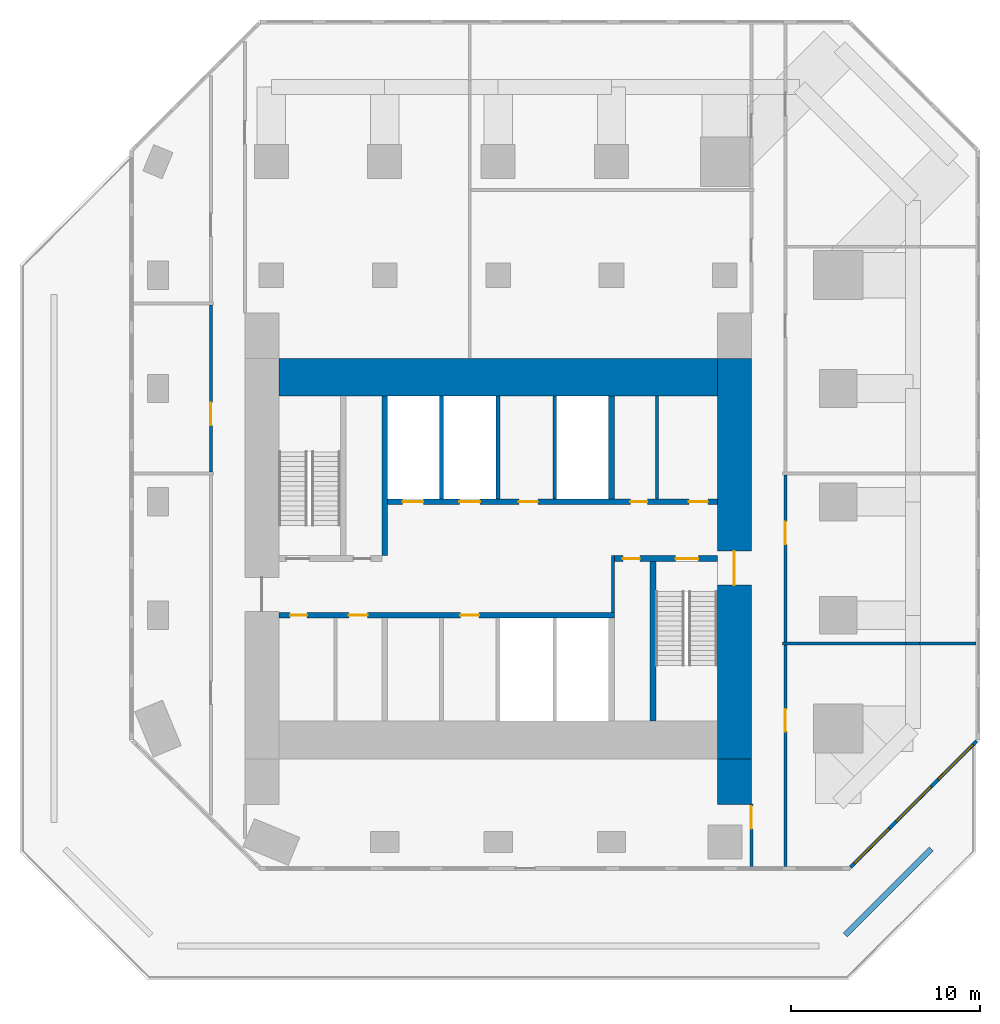
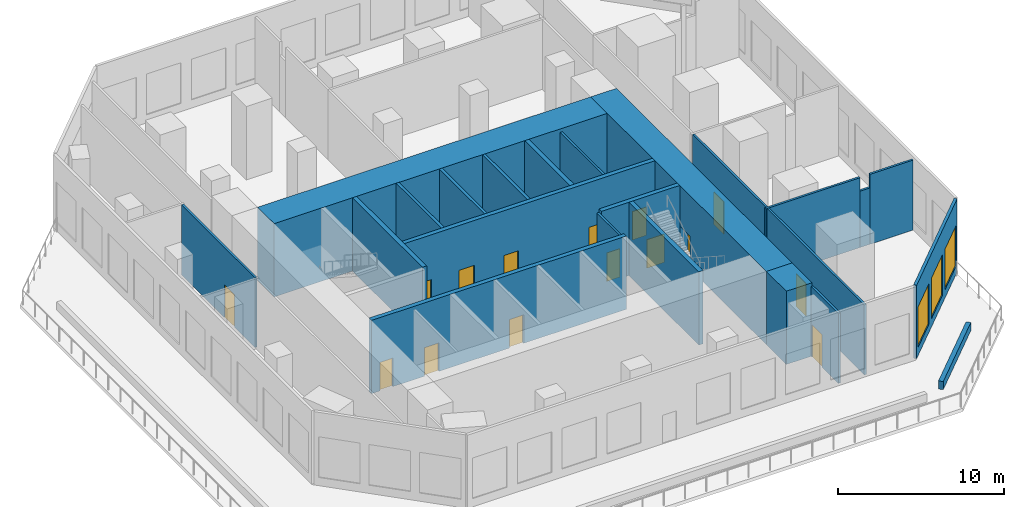
# One storey, part 3 of 7: 23 walls, 15 doors, 3 windows, 18 openings.
"""IFC4 building model written with IfcOpenShell, lengths in metres."""

from ifc_helpers import new_model, si_unit, direction, frame, frame_2d, origin, place, context, subcontext, project, spatial, rectangle, extrude, material, layer, layer_set, type_object, element, fill, save


model = new_model("IFC4")

# Units and contexts
model_context = context("Model", 3, precision=1e-05, world=origin(), true_north=direction((0.0, 1.0)))
body_context = subcontext(model_context, "Body", "Model", "MODEL_VIEW")
ifc_project = project(units=[si_unit("LENGTHUNIT", "METRE"), si_unit("AREAUNIT", "SQUARE_METRE"), si_unit("VOLUMEUNIT", "CUBIC_METRE"), si_unit("PLANEANGLEUNIT", "RADIAN"), si_unit("MASSUNIT", "GRAM", prefix="KILO")], contexts=[model_context])

# Site, building, storey
site_placement = place(None, origin())
site = spatial("IfcSite", under=ifc_project, at=site_placement, CompositionType="ELEMENT")
building_placement = place(site_placement, origin())
building = spatial("IfcBuilding", under=site, at=building_placement, Name="Highveld Stack Headquarters", CompositionType="ELEMENT")
storey_placement = place(building_placement, frame((0.0, 0.0, 164.0)))
storey = spatial("IfcBuildingStorey", under=building, at=storey_placement, Name="L40", CompositionType="ELEMENT", Elevation=164.0)

# Wall, opening, door
ifc_material_1 = material(Name="Concrete C60/75", Category="concrete")
ifc_layer_1 = layer(ifc_material_1, 1.800048828125)
ifc_layer_set_1 = layer_set([ifc_layer_1], Name="Concrete C60/75")
wall_type_1 = type_object("IfcWallType", Name="CORE WALL 1800 C60/75", PredefinedType="SHEAR", material=ifc_layer_set_1)
wall_1_placement = place(storey_placement, frame((18.5, -7.60009765625, 0.0), z_axis=(0.0, 0.0, 1.0), x_axis=(0.0, 1.0, 0.0)))
wall_1 = element("IfcWall", 1, at=wall_1_placement, inside=storey, type_object=wall_type_1, Name="Core wall E L40", PredefinedType="SHEAR", context=body_context, shape_type="SweptSolid", body=[
    extrude(rectangle(XDim=21.2001953125, YDim=1.800048828125, at=frame_2d((10.60009765625, 0.0))), origin(), (0.0, 0.0, 1.0), 5.39990234375),
])
opening_1_placement = place(wall_1_placement, frame((9.199951171875, 0.0, 0.0)))
opening_1 = element("IfcOpeningElement", 2, at=opening_1_placement, cuts=wall_1, Name="Opening L40-03", PredefinedType="OPENING", context=body_context, shape_type="SweptSolid", body=[
    extrude(rectangle(XDim=1.800048828125, YDim=2.39990234375, at=frame_2d((0.89990234375, 1.199951171875))), frame((0.0, 0.909912109375, 0.0), z_axis=(0.0, -1.0, 0.0), x_axis=(1.0, 0.0, 0.0)), (0.0, 0.0, 1.0), 1.820068359375),
])
ifc_material_2 = material(Name="Steel fire door", Category="steel")
door_type_1 = type_object("IfcDoorType", Name="LOBBY FIRE DOOR D4 1800x2400", OperationType="DOUBLE_DOOR_SINGLE_SWING", PredefinedType="DOOR", material=ifc_material_2)
door_1_placement = place(opening_1_placement, origin())
door_1 = element("IfcDoor", 3, at=door_1_placement, inside=storey, type_object=door_type_1, Name="Core east door L40", OperationType="DOUBLE_DOOR_SINGLE_SWING", OverallHeight=2.39990234375, OverallWidth=1.800048828125, PredefinedType="DOOR", context=body_context, shape_type="SweptSolid", body=[
    extrude(rectangle(XDim=1.800048828125, YDim=2.39990234375, at=frame_2d((0.89990234375, 1.199951171875))), frame((0.0, 0.02490234375, 0.0), z_axis=(0.0, -1.0, 0.0), x_axis=(1.0, 0.0, 0.0)), (0.0, 0.0, 1.0), 0.050048828125),
])
fill(opening_1, door_1)

# Wall
ifc_material_3 = material(Name="Concrete C60/75", Category="concrete")
ifc_layer_2 = layer(ifc_material_3, 2.0)
ifc_layer_set_2 = layer_set([ifc_layer_2], Name="Concrete C60/75")
wall_type_2 = type_object("IfcWallType", Name="CORE WALL 2000 C60/75", PredefinedType="SHEAR", material=ifc_layer_set_2)
wall_2_placement = place(storey_placement, frame((-5.60009765625, 12.60009765625, 0.0), z_axis=(0.0, 0.0, 1.0), x_axis=(1.0, 0.0, 0.0)))
element("IfcWall", 4, at=wall_2_placement, inside=storey, type_object=wall_type_2, Name="Core wall N L40", PredefinedType="SHEAR", context=body_context, shape_type="SweptSolid", body=[
    extrude(rectangle(XDim=23.2001953125, YDim=2.0, at=frame_2d((11.60009765625, 0.0))), origin(), (0.0, 0.0, 1.0), 5.39990234375),
])

# Wall, openings, doors
ifc_material_4 = material(Name="Concrete C60/75", Category="concrete")
ifc_layer_3 = layer(ifc_material_4, 0.300048828125)
ifc_layer_set_3 = layer_set([ifc_layer_3], Name="Concrete C60/75")
wall_type_3 = type_object("IfcWallType", Name="CORE WALL 300 C60/75", PredefinedType="SHEAR", material=ifc_layer_set_3)
wall_3_placement = place(storey_placement, frame((-5.60009765625, 0.0, 0.0), z_axis=(0.0, 0.0, 1.0), x_axis=(1.0, 0.0, 0.0)))
wall_3 = element("IfcWall", 5, at=wall_3_placement, inside=storey, type_object=wall_type_3, Name="Core wall I-Y0 L40", PredefinedType="SHEAR", context=body_context, shape_type="SweptSolid", body=[
    extrude(rectangle(XDim=17.75, YDim=0.300048828125, at=frame_2d((8.875, 0.0))), origin(), (0.0, 0.0, 1.0), 5.39990234375),
])
opening_2_placement = place(wall_3_placement, frame((0.60009765625, 0.0, 0.0)))
opening_2 = element("IfcOpeningElement", 6, at=opening_2_placement, cuts=wall_3, Name="Opening L40-08", PredefinedType="OPENING", context=body_context, shape_type="SweptSolid", body=[
    extrude(rectangle(XDim=0.89990234375, YDim=2.10009765625, at=frame_2d((0.449951171875, 1.050048828125))), frame((0.0, 0.159912109375, 0.0), z_axis=(0.0, -1.0, 0.0), x_axis=(1.0, 0.0, 0.0)), (0.0, 0.0, 1.0), 0.320068359375),
])
opening_3_placement = place(wall_3_placement, frame((3.699951171875, 0.0, 0.0)))
opening_3 = element("IfcOpeningElement", 7, at=opening_3_placement, cuts=wall_3, Name="Opening L40-09", PredefinedType="OPENING", context=body_context, shape_type="SweptSolid", body=[
    extrude(rectangle(XDim=1.0, YDim=2.10009765625, at=frame_2d((0.5, 1.050048828125))), frame((0.0, 0.159912109375, 0.0), z_axis=(0.0, -1.0, 0.0), x_axis=(1.0, 0.0, 0.0)), (0.0, 0.0, 1.0), 0.320068359375),
])
opening_4_placement = place(wall_3_placement, frame((9.60009765625, 0.0, 0.0)))
opening_4 = element("IfcOpeningElement", 8, at=opening_4_placement, cuts=wall_3, Name="Opening L40-13", PredefinedType="OPENING", context=body_context, shape_type="SweptSolid", body=[
    extrude(rectangle(XDim=1.0, YDim=2.10009765625, at=frame_2d((0.5, 1.050048828125))), frame((0.0, 0.159912109375, 0.0), z_axis=(0.0, -1.0, 0.0), x_axis=(1.0, 0.0, 0.0)), (0.0, 0.0, 1.0), 0.320068359375),
])
ifc_material_5 = material(Name="Steel fire door", Category="steel")
door_type_2 = type_object("IfcDoorType", Name="CORE ROOM FIRE DOOR D14 1000x2100", OperationType="SINGLE_SWING_LEFT", PredefinedType="DOOR", material=ifc_material_5)
door_2_placement = place(opening_3_placement, origin())
door_2 = element("IfcDoor", 9, at=door_2_placement, inside=storey, type_object=door_type_2, Name="Cleaners store door L40", OperationType="SINGLE_SWING_LEFT", OverallHeight=2.10009765625, OverallWidth=1.0, PredefinedType="DOOR", context=body_context, shape_type="SweptSolid", body=[
    extrude(rectangle(XDim=1.0, YDim=2.10009765625, at=frame_2d((0.5, 1.050048828125))), frame((0.0, 0.02490234375, 0.0), z_axis=(0.0, -1.0, 0.0), x_axis=(1.0, 0.0, 0.0)), (0.0, 0.0, 1.0), 0.050048828125),
])
fill(opening_3, door_2)
door_3_placement = place(opening_4_placement, origin())
door_3 = element("IfcDoor", 10, at=door_3_placement, inside=storey, type_object=door_type_2, Name="Capped B 1 door L40", OperationType="SINGLE_SWING_RIGHT", OverallHeight=2.10009765625, OverallWidth=1.0, PredefinedType="DOOR", context=body_context, shape_type="SweptSolid", body=[
    extrude(rectangle(XDim=1.0, YDim=2.10009765625, at=frame_2d((0.5, 1.050048828125))), frame((0.0, 0.02490234375, 0.0), z_axis=(0.0, -1.0, 0.0), x_axis=(1.0, 0.0, 0.0)), (0.0, 0.0, 1.0), 0.050048828125),
])
fill(opening_4, door_3)
ifc_material_6 = material(Name="Timber door, painted", Category="wood")
door_type_3 = type_object("IfcDoorType", Name="WC DOOR D1 900x2100", OperationType="SINGLE_SWING_LEFT", PredefinedType="DOOR", material=ifc_material_6)
door_4_placement = place(opening_2_placement, origin())
door_4 = element("IfcDoor", 11, at=door_4_placement, inside=storey, type_object=door_type_3, Name="Female WC door L40", OperationType="SINGLE_SWING_LEFT", OverallHeight=2.10009765625, OverallWidth=0.89990234375, PredefinedType="DOOR", context=body_context, shape_type="SweptSolid", body=[
    extrude(rectangle(XDim=0.89990234375, YDim=2.10009765625, at=frame_2d((0.449951171875, 1.050048828125))), frame((0.0, 0.02490234375, 0.0), z_axis=(0.0, -1.0, 0.0), x_axis=(1.0, 0.0, 0.0)), (0.0, 0.0, 1.0), 0.050048828125),
])
fill(opening_2, door_4)

wall_4_placement = place(storey_placement, frame((12.14990234375, 3.0, 0.0), z_axis=(0.0, 0.0, 1.0), x_axis=(1.0, 0.0, 0.0)))
wall_4 = element("IfcWall", 12, at=wall_4_placement, inside=storey, type_object=wall_type_3, Name="Core wall I-Y3E L40", PredefinedType="SHEAR", context=body_context, shape_type="SweptSolid", body=[
    extrude(rectangle(XDim=5.4501953125, YDim=0.300048828125, at=frame_2d((2.72509765625, 0.0))), origin(), (0.0, 0.0, 1.0), 5.39990234375),
])
opening_5_placement = place(wall_4_placement, frame((3.25, 0.0, 0.0)))
opening_5 = element("IfcOpeningElement", 13, at=opening_5_placement, cuts=wall_4, Name="Opening L40-06", PredefinedType="OPENING", context=body_context, shape_type="SweptSolid", body=[
    extrude(rectangle(XDim=1.199951171875, YDim=2.10009765625, at=frame_2d((0.60009765625, 1.050048828125))), frame((0.0, 0.159912109375, 0.0), z_axis=(0.0, -1.0, 0.0), x_axis=(1.0, 0.0, 0.0)), (0.0, 0.0, 1.0), 0.320068359375),
])
opening_6_placement = place(wall_4_placement, frame((0.449951171875, 0.0, 0.0)))
opening_6 = element("IfcOpeningElement", 14, at=opening_6_placement, cuts=wall_4, Name="Opening L40-07", PredefinedType="OPENING", context=body_context, shape_type="SweptSolid", body=[
    extrude(rectangle(XDim=0.89990234375, YDim=2.10009765625, at=frame_2d((0.449951171875, 1.050048828125))), frame((0.0, 0.159912109375, 0.0), z_axis=(0.0, -1.0, 0.0), x_axis=(1.0, 0.0, 0.0)), (0.0, 0.0, 1.0), 0.320068359375),
])
ifc_material_7 = material(Name="Steel fire door", Category="steel")
door_type_4 = type_object("IfcDoorType", Name="RISER ACCESS DOOR D5 900x2100", OperationType="SINGLE_SWING_LEFT", PredefinedType="DOOR", material=ifc_material_7)
door_5_placement = place(opening_6_placement, origin())
door_5 = element("IfcDoor", 15, at=door_5_placement, inside=storey, type_object=door_type_4, Name="Riser R2 door L40", OperationType="SINGLE_SWING_LEFT", OverallHeight=2.10009765625, OverallWidth=0.89990234375, PredefinedType="DOOR", context=body_context, shape_type="SweptSolid", body=[
    extrude(rectangle(XDim=0.89990234375, YDim=2.10009765625, at=frame_2d((0.449951171875, 1.050048828125))), frame((0.0, 0.02490234375, 0.0), z_axis=(0.0, -1.0, 0.0), x_axis=(1.0, 0.0, 0.0)), (0.0, 0.0, 1.0), 0.050048828125),
])
fill(opening_6, door_5)
ifc_material_8 = material(Name="Steel fire door", Category="steel")
door_type_5 = type_object("IfcDoorType", Name="STAIR FIRE DOOR D3 1200x2100", OperationType="SINGLE_SWING_LEFT", PredefinedType="DOOR", material=ifc_material_8)
door_6_placement = place(opening_5_placement, origin())
door_6 = element("IfcDoor", 16, at=door_6_placement, inside=storey, type_object=door_type_5, Name="Stair S2 door L40", OperationType="SINGLE_SWING_RIGHT", OverallHeight=2.10009765625, OverallWidth=1.199951171875, PredefinedType="DOOR", context=body_context, shape_type="SweptSolid", body=[
    extrude(rectangle(XDim=1.199951171875, YDim=2.10009765625, at=frame_2d((0.60009765625, 1.050048828125))), frame((0.0, 0.02490234375, 0.0), z_axis=(0.0, -1.0, 0.0), x_axis=(1.0, 0.0, 0.0)), (0.0, 0.0, 1.0), 0.050048828125),
])
fill(opening_5, door_6)

wall_5_placement = place(storey_placement, frame((-0.14990234375, 6.0, 0.0), z_axis=(0.0, 0.0, 1.0), x_axis=(1.0, 0.0, 0.0)))
wall_5 = element("IfcWall", 17, at=wall_5_placement, inside=storey, type_object=wall_type_3, Name="Core wall I-Y6 L40", PredefinedType="SHEAR", context=body_context, shape_type="SweptSolid", body=[
    extrude(rectangle(XDim=17.75, YDim=0.300048828125, at=frame_2d((8.875, 0.0))), origin(), (0.0, 0.0, 1.0), 5.39990234375),
])
opening_7_placement = place(wall_5_placement, frame((13.14990234375, 0.0, 0.0)))
opening_7 = element("IfcOpeningElement", 18, at=opening_7_placement, cuts=wall_5, Name="Opening L40-10", PredefinedType="OPENING", context=body_context, shape_type="SweptSolid", body=[
    extrude(rectangle(XDim=0.89990234375, YDim=2.10009765625, at=frame_2d((0.449951171875, 1.050048828125))), frame((0.0, 0.159912109375, 0.0), z_axis=(0.0, -1.0, 0.0), x_axis=(1.0, 0.0, 0.0)), (0.0, 0.0, 1.0), 0.320068359375),
])
opening_8_placement = place(wall_5_placement, frame((16.25, 0.0, 0.0)))
opening_8 = element("IfcOpeningElement", 19, at=opening_8_placement, cuts=wall_5, Name="Opening L40-11", PredefinedType="OPENING", context=body_context, shape_type="SweptSolid", body=[
    extrude(rectangle(XDim=1.0, YDim=2.10009765625, at=frame_2d((0.5, 1.050048828125))), frame((0.0, 0.159912109375, 0.0), z_axis=(0.0, -1.0, 0.0), x_axis=(1.0, 0.0, 0.0)), (0.0, 0.0, 1.0), 0.320068359375),
])
opening_9_placement = place(wall_5_placement, frame((7.25, 0.0, 0.0)))
opening_9 = element("IfcOpeningElement", 20, at=opening_9_placement, cuts=wall_5, Name="Opening L40-12", PredefinedType="OPENING", context=body_context, shape_type="SweptSolid", body=[
    extrude(rectangle(XDim=1.0, YDim=2.10009765625, at=frame_2d((0.5, 1.050048828125))), frame((0.0, 0.159912109375, 0.0), z_axis=(0.0, -1.0, 0.0), x_axis=(1.0, 0.0, 0.0)), (0.0, 0.0, 1.0), 0.320068359375),
])
opening_10_placement = place(wall_5_placement, frame((1.10009765625, 0.0, 0.0)))
opening_10 = element("IfcOpeningElement", 21, at=opening_10_placement, cuts=wall_5, Name="Opening LD", PredefinedType="OPENING", context=body_context, shape_type="SweptSolid", body=[
    extrude(rectangle(XDim=1.10009765625, YDim=2.10009765625, at=frame_2d((0.550048828125, 1.050048828125))), frame((0.0, 0.159912109375, 0.0), z_axis=(0.0, -1.0, 0.0), x_axis=(1.0, 0.0, 0.0)), (0.0, 0.0, 1.0), 0.320068359375),
])
opening_11_placement = place(wall_5_placement, frame((4.10009765625, 0.0, 0.0)))
opening_11 = element("IfcOpeningElement", 22, at=opening_11_placement, cuts=wall_5, Name="Opening LD", PredefinedType="OPENING", context=body_context, shape_type="SweptSolid", body=[
    extrude(rectangle(XDim=1.10009765625, YDim=2.10009765625, at=frame_2d((0.550048828125, 1.050048828125))), frame((0.0, 0.159912109375, 0.0), z_axis=(0.0, -1.0, 0.0), x_axis=(1.0, 0.0, 0.0)), (0.0, 0.0, 1.0), 0.320068359375),
])
ifc_material_9 = material(Name="Timber door, painted", Category="wood")
door_type_6 = type_object("IfcDoorType", Name="ACCESSIBLE WC DOOR D2 1000x2100", OperationType="SINGLE_SWING_RIGHT", PredefinedType="DOOR", material=ifc_material_9)
door_7_placement = place(opening_8_placement, origin())
door_7 = element("IfcDoor", 23, at=door_7_placement, inside=storey, type_object=door_type_6, Name="Accessible WC door L40", OperationType="SINGLE_SWING_RIGHT", OverallHeight=2.10009765625, OverallWidth=1.0, PredefinedType="DOOR", context=body_context, shape_type="SweptSolid", body=[
    extrude(rectangle(XDim=1.0, YDim=2.10009765625, at=frame_2d((0.5, 1.050048828125))), frame((0.0, 0.02490234375, 0.0), z_axis=(0.0, -1.0, 0.0), x_axis=(1.0, 0.0, 0.0)), (0.0, 0.0, 1.0), 0.050048828125),
])
fill(opening_8, door_7)
door_8_placement = place(opening_9_placement, origin())
door_8 = element("IfcDoor", 24, at=door_8_placement, inside=storey, type_object=door_type_2, Name="Capped A 1 door L40", OperationType="SINGLE_SWING_LEFT", OverallHeight=2.10009765625, OverallWidth=1.0, PredefinedType="DOOR", context=body_context, shape_type="SweptSolid", body=[
    extrude(rectangle(XDim=1.0, YDim=2.10009765625, at=frame_2d((0.5, 1.050048828125))), frame((0.0, 0.02490234375, 0.0), z_axis=(0.0, -1.0, 0.0), x_axis=(1.0, 0.0, 0.0)), (0.0, 0.0, 1.0), 0.050048828125),
])
fill(opening_9, door_8)
ifc_material_10 = material(Name="Stainless steel lift landing door", Category="steel")
door_type_7 = type_object("IfcDoorType", Name="LIFT LANDING DOOR LD 1100x2100", OperationType="DOUBLE_DOOR_SLIDING", PredefinedType="USERDEFINED", material=ifc_material_10)
door_9_placement = place(opening_10_placement, origin())
door_9 = element("IfcDoor", 25, at=door_9_placement, inside=storey, type_object=door_type_7, Name="Lift landing door FF1 L40", ObjectType="LIFT LANDING DOOR", OperationType="DOUBLE_DOOR_SLIDING", OverallHeight=2.10009765625, OverallWidth=1.10009765625, PredefinedType="USERDEFINED", context=body_context, shape_type="SweptSolid", body=[
    extrude(rectangle(XDim=1.10009765625, YDim=2.10009765625, at=frame_2d((0.550048828125, 1.050048828125))), frame((0.0, 0.02490234375, 0.0), z_axis=(0.0, -1.0, 0.0), x_axis=(1.0, 0.0, 0.0)), (0.0, 0.0, 1.0), 0.050048828125),
])
fill(opening_10, door_9)
door_10_placement = place(opening_11_placement, origin())
door_10 = element("IfcDoor", 26, at=door_10_placement, inside=storey, type_object=door_type_7, Name="Lift landing door FF2 L40", ObjectType="LIFT LANDING DOOR", OperationType="DOUBLE_DOOR_SLIDING", OverallHeight=2.10009765625, OverallWidth=1.10009765625, PredefinedType="USERDEFINED", context=body_context, shape_type="SweptSolid", body=[
    extrude(rectangle(XDim=1.10009765625, YDim=2.10009765625, at=frame_2d((0.550048828125, 1.050048828125))), frame((0.0, 0.02490234375, 0.0), z_axis=(0.0, -1.0, 0.0), x_axis=(1.0, 0.0, 0.0)), (0.0, 0.0, 1.0), 0.050048828125),
])
fill(opening_11, door_10)
door_11_placement = place(opening_7_placement, origin())
door_11 = element("IfcDoor", 27, at=door_11_placement, inside=storey, type_object=door_type_3, Name="Male WC door L40", OperationType="SINGLE_SWING_RIGHT", OverallHeight=2.10009765625, OverallWidth=0.89990234375, PredefinedType="DOOR", context=body_context, shape_type="SweptSolid", body=[
    extrude(rectangle(XDim=0.89990234375, YDim=2.10009765625, at=frame_2d((0.449951171875, 1.050048828125))), frame((0.0, 0.02490234375, 0.0), z_axis=(0.0, -1.0, 0.0), x_axis=(1.0, 0.0, 0.0)), (0.0, 0.0, 1.0), 0.050048828125),
])
fill(opening_7, door_11)

# Walls
wall_6_placement = place(storey_placement, frame((0.0, 3.14990234375, 0.0), z_axis=(0.0, 0.0, 1.0), x_axis=(0.0, 1.0, 0.0)))
element("IfcWall", 28, at=wall_6_placement, inside=storey, type_object=wall_type_3, Name="Core wall I-X0N L40", PredefinedType="SHEAR", context=body_context, shape_type="SweptSolid", body=[
    extrude(rectangle(XDim=8.4501953125, YDim=0.300048828125, at=frame_2d((4.22509765625, 0.0))), origin(), (0.0, 0.0, 1.0), 5.39990234375),
])
wall_7_placement = place(storey_placement, frame((12.0, 6.14990234375, 0.0), z_axis=(0.0, 0.0, 1.0), x_axis=(0.0, 1.0, 0.0)))
element("IfcWall", 29, at=wall_7_placement, inside=storey, type_object=wall_type_3, Name="Core wall I-X12N L40", PredefinedType="SHEAR", context=body_context, shape_type="SweptSolid", body=[
    extrude(rectangle(XDim=5.4501953125, YDim=0.300048828125, at=frame_2d((2.72509765625, 0.0))), origin(), (0.0, 0.0, 1.0), 5.39990234375),
])
wall_8_placement = place(storey_placement, frame((14.199951171875, -5.60009765625, 0.0), z_axis=(0.0, 0.0, 1.0), x_axis=(0.0, 1.0, 0.0)))
element("IfcWall", 30, at=wall_8_placement, inside=storey, type_object=wall_type_3, Name="Core wall I-RE L40", PredefinedType="SHEAR", context=body_context, shape_type="SweptSolid", body=[
    extrude(rectangle(XDim=8.4501953125, YDim=0.300048828125, at=frame_2d((4.22509765625, 0.0))), origin(), (0.0, 0.0, 1.0), 5.39990234375),
])
ifc_material_11 = material(Name="Concrete C60/75", Category="concrete")
ifc_layer_4 = layer(ifc_material_11, 1.800048828125)
ifc_layer_set_4 = layer_set([ifc_layer_4], Name="Concrete C60/75")
wall_type_4 = type_object("IfcWallType", Name="CORE WING WALL 1800 C60/75", PredefinedType="SHEAR", material=ifc_layer_set_4)
wall_9_placement = place(storey_placement, frame((18.5, -10.0, 0.0), z_axis=(0.0, 0.0, 1.0), x_axis=(0.0, 1.0, 0.0)))
element("IfcWall", 31, at=wall_9_placement, inside=storey, type_object=wall_type_4, Name="Core wing wall ES L40", PredefinedType="SHEAR", context=body_context, shape_type="SweptSolid", body=[
    extrude(rectangle(XDim=2.39990234375, YDim=1.800048828125, at=frame_2d((1.199951171875, 0.0))), origin(), (0.0, 0.0, 1.0), 5.39990234375),
])

# Wall, opening, door
ifc_material_12 = material(Name="Concrete blockwork, plastered", Category="masonry")
ifc_layer_5 = layer(ifc_material_12, 0.14990234375)
ifc_layer_set_5 = layer_set([ifc_layer_5], Name="Concrete blockwork, plastered")
wall_type_5 = type_object("IfcWallType", Name="FIRE PARTITION 150 BLOCKWORK", PredefinedType="PARTITIONING", material=ifc_layer_set_5)
wall_10_placement = place(storey_placement, frame((-9.199951171875, 7.574951171875, 0.0), z_axis=(0.0, 0.0, 1.0), x_axis=(0.0, 1.0, 0.0)))
wall_10 = element("IfcWall", 32, at=wall_10_placement, inside=storey, type_object=wall_type_5, Name="Partition office neighbourhood L40", PredefinedType="PARTITIONING", context=body_context, shape_type="SweptSolid", body=[
    extrude(rectangle(XDim=8.85009765625, YDim=0.14990234375, at=frame_2d((4.425048828125, 0.0))), origin(), (0.0, 0.0, 1.0), 5.14990234375),
])
opening_12_placement = place(wall_10_placement, frame((2.47509765625, 0.0, 0.0)))
opening_12 = element("IfcOpeningElement", 33, at=opening_12_placement, cuts=wall_10, Name="Opening L40-17", PredefinedType="OPENING", context=body_context, shape_type="SweptSolid", body=[
    extrude(rectangle(XDim=1.199951171875, YDim=2.39990234375, at=frame_2d((0.60009765625, 1.199951171875))), frame((0.0, 0.0849609375, 0.0), z_axis=(0.0, -1.0, 0.0), x_axis=(1.0, 0.0, 0.0)), (0.0, 0.0, 1.0), 0.169921875),
])
ifc_material_13 = material(Name="Steel fire door", Category="steel")
door_type_8 = type_object("IfcDoorType", Name="PLANT FIRE DOOR D7 1200x2400", OperationType="SINGLE_SWING_LEFT", PredefinedType="DOOR", material=ifc_material_13)
door_12_placement = place(opening_12_placement, origin())
door_12 = element("IfcDoor", 34, at=door_12_placement, inside=storey, type_object=door_type_8, Name="Plant room door L40", OperationType="SINGLE_SWING_LEFT", OverallHeight=2.39990234375, OverallWidth=1.199951171875, PredefinedType="DOOR", context=body_context, shape_type="SweptSolid", body=[
    extrude(rectangle(XDim=1.199951171875, YDim=2.39990234375, at=frame_2d((0.60009765625, 1.199951171875))), frame((0.0, 0.02490234375, 0.0), z_axis=(0.0, -1.0, 0.0), x_axis=(1.0, 0.0, 0.0)), (0.0, 0.0, 1.0), 0.050048828125),
])
fill(opening_12, door_12)

wall_11_placement = place(storey_placement, frame((19.39990234375, -10.0, 0.0), z_axis=(0.0, 0.0, 1.0), x_axis=(0.0, -1.0, 0.0)))
wall_11 = element("IfcWall", 35, at=wall_11_placement, inside=storey, type_object=wall_type_5, Name="Partition office neighbourhood L40", PredefinedType="PARTITIONING", context=body_context, shape_type="SweptSolid", body=[
    extrude(rectangle(XDim=3.300048828125, YDim=0.14990234375, at=frame_2d((1.64990234375, 0.0))), origin(), (0.0, 0.0, 1.0), 5.14990234375),
])
opening_13_placement = place(wall_11_placement, frame((0.10009765625, 0.0, 0.0)))
opening_13 = element("IfcOpeningElement", 36, at=opening_13_placement, cuts=wall_11, Name="Opening L40-24", PredefinedType="OPENING", context=body_context, shape_type="SweptSolid", body=[
    extrude(rectangle(XDim=1.199951171875, YDim=2.39990234375, at=frame_2d((0.60009765625, 1.199951171875))), frame((0.0, 0.0849609375, 0.0), z_axis=(0.0, -1.0, 0.0), x_axis=(1.0, 0.0, 0.0)), (0.0, 0.0, 1.0), 0.169921875),
])
door_13_placement = place(opening_13_placement, origin())
door_13 = element("IfcDoor", 37, at=door_13_placement, inside=storey, type_object=door_type_8, Name="Plant room door L40", OperationType="SINGLE_SWING_LEFT", OverallHeight=2.39990234375, OverallWidth=1.199951171875, PredefinedType="DOOR", context=body_context, shape_type="SweptSolid", body=[
    extrude(rectangle(XDim=1.199951171875, YDim=2.39990234375, at=frame_2d((0.60009765625, 1.199951171875))), frame((0.0, 0.02490234375, 0.0), z_axis=(0.0, -1.0, 0.0), x_axis=(1.0, 0.0, 0.0)), (0.0, 0.0, 1.0), 0.050048828125),
])
fill(opening_13, door_13)

wall_12_placement = place(storey_placement, frame((21.199951171875, -13.300048828125, 0.0), z_axis=(0.0, 0.0, 1.0), x_axis=(0.0, 1.0, 0.0)))
wall_12 = element("IfcWall", 38, at=wall_12_placement, inside=storey, type_object=wall_type_5, Name="Partition office neighbourhood L40", PredefinedType="PARTITIONING", context=body_context, shape_type="SweptSolid", body=[
    extrude(rectangle(XDim=11.72509765625, YDim=0.14990234375, at=frame_2d((5.862548828125, 0.0))), origin(), (0.0, 0.0, 1.0), 5.14990234375),
])
opening_14_placement = place(wall_12_placement, frame((7.139892578125, 0.0, 0.0)))
opening_14 = element("IfcOpeningElement", 39, at=opening_14_placement, cuts=wall_12, Name="Opening L40-14", PredefinedType="OPENING", context=body_context, shape_type="SweptSolid", body=[
    extrude(rectangle(XDim=1.199951171875, YDim=2.39990234375, at=frame_2d((0.60009765625, 1.199951171875))), frame((0.0, 0.0849609375, 0.0), z_axis=(0.0, -1.0, 0.0), x_axis=(1.0, 0.0, 0.0)), (0.0, 0.0, 1.0), 0.169921875),
])
door_14_placement = place(opening_14_placement, origin())
door_14 = element("IfcDoor", 40, at=door_14_placement, inside=storey, type_object=door_type_8, Name="Plant room door L40", OperationType="SINGLE_SWING_RIGHT", OverallHeight=2.39990234375, OverallWidth=1.199951171875, PredefinedType="DOOR", context=body_context, shape_type="SweptSolid", body=[
    extrude(rectangle(XDim=1.199951171875, YDim=2.39990234375, at=frame_2d((0.60009765625, 1.199951171875))), frame((0.0, 0.02490234375, 0.0), z_axis=(0.0, -1.0, 0.0), x_axis=(1.0, 0.0, 0.0)), (0.0, 0.0, 1.0), 0.050048828125),
])
fill(opening_14, door_14)

wall_13_placement = place(storey_placement, frame((21.199951171875, -1.425048828125, 0.0), z_axis=(0.0, 0.0, 1.0), x_axis=(0.0, 1.0, 0.0)))
wall_13 = element("IfcWall", 41, at=wall_13_placement, inside=storey, type_object=wall_type_5, Name="Partition office neighbourhood L40", PredefinedType="PARTITIONING", context=body_context, shape_type="SweptSolid", body=[
    extrude(rectangle(XDim=8.85009765625, YDim=0.14990234375, at=frame_2d((4.425048828125, 0.0))), origin(), (0.0, 0.0, 1.0), 5.14990234375),
])
opening_15_placement = place(wall_13_placement, frame((5.175048828125, 0.0, 0.0)))
opening_15 = element("IfcOpeningElement", 42, at=opening_15_placement, cuts=wall_13, Name="Opening L40-16", PredefinedType="OPENING", context=body_context, shape_type="SweptSolid", body=[
    extrude(rectangle(XDim=1.199951171875, YDim=2.39990234375, at=frame_2d((0.60009765625, 1.199951171875))), frame((0.0, 0.0849609375, 0.0), z_axis=(0.0, -1.0, 0.0), x_axis=(1.0, 0.0, 0.0)), (0.0, 0.0, 1.0), 0.169921875),
])
door_15_placement = place(opening_15_placement, origin())
door_15 = element("IfcDoor", 43, at=door_15_placement, inside=storey, type_object=door_type_8, Name="Plant room door L40", OperationType="SINGLE_SWING_RIGHT", OverallHeight=2.39990234375, OverallWidth=1.199951171875, PredefinedType="DOOR", context=body_context, shape_type="SweptSolid", body=[
    extrude(rectangle(XDim=1.199951171875, YDim=2.39990234375, at=frame_2d((0.60009765625, 1.199951171875))), frame((0.0, 0.02490234375, 0.0), z_axis=(0.0, -1.0, 0.0), x_axis=(1.0, 0.0, 0.0)), (0.0, 0.0, 1.0), 0.050048828125),
])
fill(opening_15, door_15)

# Walls
wall_14_placement = place(storey_placement, frame((21.050048828125, -1.5, 0.0), z_axis=(0.0, 0.0, 1.0), x_axis=(1.0, 0.0, 0.0)))
element("IfcWall", 44, at=wall_14_placement, inside=storey, type_object=wall_type_5, Name="Partition office neighbourhood L40", PredefinedType="PARTITIONING", context=body_context, shape_type="SweptSolid", body=[
    extrude(rectangle(XDim=6.5400390625, YDim=0.14990234375, at=frame_2d((3.27001953125, 0.0))), origin(), (0.0, 0.0, 1.0), 5.14990234375),
])
wall_15_placement = place(storey_placement, frame((27.590087890625, -1.5, 0.0), z_axis=(0.0, 0.0, 1.0), x_axis=(1.0, 0.0, 0.0)))
element("IfcWall", 45, at=wall_15_placement, inside=storey, type_object=wall_type_5, Name="Partition office neighbourhood L40", PredefinedType="PARTITIONING", context=body_context, shape_type="SweptSolid", body=[
    extrude(rectangle(XDim=0.719970703125, YDim=0.14990234375, at=frame_2d((0.35986328125, 0.0))), origin(), (0.0, 0.0, 1.0), 4.14990234375),
])
wall_16_placement = place(storey_placement, frame((28.31005859375, -1.5, 0.0), z_axis=(0.0, 0.0, 1.0), x_axis=(1.0, 0.0, 0.0)))
element("IfcWall", 46, at=wall_16_placement, inside=storey, type_object=wall_type_5, Name="Partition office neighbourhood L40", PredefinedType="PARTITIONING", context=body_context, shape_type="SweptSolid", body=[
    extrude(rectangle(XDim=2.989990234375, YDim=0.14990234375, at=frame_2d((1.4951171875, 0.0))), origin(), (0.0, 0.0, 1.0), 5.14990234375),
])
wall_17_placement = place(storey_placement, frame((12.074951171875, 0.14990234375, 0.0), z_axis=(0.0, 0.0, 1.0), x_axis=(0.0, 1.0, 0.0)))
element("IfcWall", 47, at=wall_17_placement, inside=storey, type_object=wall_type_5, Name="Riser R2 enclosure L40", PredefinedType="PARTITIONING", context=body_context, shape_type="SweptSolid", body=[
    extrude(rectangle(XDim=3.0, YDim=0.14990234375, at=frame_2d((1.5, 0.0))), origin(), (0.0, 0.0, 1.0), 5.14990234375),
])
ifc_material_14 = material(Name="Concrete blockwork, fair-faced", Category="masonry")
ifc_layer_6 = layer(ifc_material_14, 0.199951171875)
ifc_layer_set_6 = layer_set([ifc_layer_6], Name="Concrete blockwork, fair-faced")
wall_type_6 = type_object("IfcWallType", Name="LIFT SHAFT ENCLOSURE WALL 200 BLOCKWORK", PredefinedType="SOLIDWALL", material=ifc_layer_set_6)
for number, where, z_axis, x_axis, name in (
    (48, (3.0, 6.14990234375, 0.0), (0.0, 0.0, 1.0), (0.0, 1.0, 0.0), "Lift shaft wall L40"),
    (49, (6.0, 6.14990234375, 0.0), (0.0, 0.0, 1.0), (0.0, 1.0, 0.0), "Lift shaft wall L40"),
    (50, (9.0, 6.14990234375, 0.0), (0.0, 0.0, 1.0), (0.0, 1.0, 0.0), "Lift shaft wall L40"),
):
    element("IfcWall", number, at=place(storey_placement, frame(where, z_axis=z_axis, x_axis=x_axis)), inside=storey, type_object=wall_type_6, Name=name, PredefinedType="SOLIDWALL", context=body_context, shape_type="SweptSolid", body=[
        extrude(rectangle(XDim=5.4501953125, YDim=0.199951171875, at=frame_2d((2.72509765625, 0.0))), origin(), (0.0, 0.0, 1.0), 5.39990234375),
    ])
ifc_material_15 = material(Name="Concrete C40/50, precast planter", Category="concrete")
ifc_layer_7 = layer(ifc_material_15, 0.300048828125)
ifc_layer_set_7 = layer_set([ifc_layer_7], Name="Concrete C40/50, precast planter")
wall_type_7 = type_object("IfcWallType", Name="PLANTER WALL PL1 300", PredefinedType="USERDEFINED", material=ifc_layer_set_7)
wall_18_placement = place(storey_placement, frame((28.922607421875, -12.370361328125, 0.0), z_axis=(0.0, 0.0, 1.0), x_axis=(-0.707106781187, -0.707106781187, 0.0)))
element("IfcWall", 51, at=wall_18_placement, inside=storey, type_object=wall_type_7, Name="Planter L40 1.2", ObjectType="PLANTER", PredefinedType="USERDEFINED", context=body_context, shape_type="SweptSolid", body=[
    extrude(rectangle(XDim=6.437744140625, YDim=0.300048828125, at=frame_2d((3.21875, 0.0))), origin(), (0.0, 0.0, 1.0), 0.60009765625),
])

# Wall, openings, windows
ifc_material_16 = material(Name="Concrete C40/50, precast cladding", Category="concrete")
ifc_layer_8 = layer(ifc_material_16, 0.199951171875)
ifc_layer_set_8 = layer_set([ifc_layer_8], Name="Concrete C40/50, precast cladding")
wall_type_8 = type_object("IfcWallType", Name="PRECAST LOUVRE WALL 200", PredefinedType="USERDEFINED", material=ifc_layer_set_8)
wall_19_placement = place(storey_placement, frame((24.650634765625, -13.329345703125, 0.0), z_axis=(0.0, 0.0, 1.0), x_axis=(0.707106781187, 0.707106781187, 0.0)))
wall_19 = element("IfcWall", 52, at=wall_19_placement, inside=storey, type_object=wall_type_8, Name="Precast louvre wall L40 SE", ObjectType="PRECAST CLADDING", PredefinedType="USERDEFINED", context=body_context, shape_type="SweptSolid", body=[
    extrude(rectangle(XDim=9.445068359375, YDim=0.199951171875, at=frame_2d((4.72265625, 0.0))), origin(), (0.0, 0.0, 1.0), 5.39990234375),
])
opening_16_placement = place(wall_19_placement, frame((0.274169921875, 0.0, 0.60009765625)))
opening_16 = element("IfcOpeningElement", 53, at=opening_16_placement, cuts=wall_19, Name="Opening L2", PredefinedType="OPENING", context=body_context, shape_type="SweptSolid", body=[
    extrude(rectangle(XDim=2.60009765625, YDim=3.0, at=frame_2d((1.300048828125, 1.5))), frame((0.0, 0.10986328125, 0.0), z_axis=(0.0, -1.0, 0.0), x_axis=(1.0, 0.0, 0.0)), (0.0, 0.0, 1.0), 0.219970703125),
])
opening_17_placement = place(wall_19_placement, frame((3.422607421875, 0.0, 0.60009765625)))
opening_17 = element("IfcOpeningElement", 54, at=opening_17_placement, cuts=wall_19, Name="Opening L2", PredefinedType="OPENING", context=body_context, shape_type="SweptSolid", body=[
    extrude(rectangle(XDim=2.60009765625, YDim=3.0, at=frame_2d((1.300048828125, 1.5))), frame((0.0, 0.10986328125, 0.0), z_axis=(0.0, -1.0, 0.0), x_axis=(1.0, 0.0, 0.0)), (0.0, 0.0, 1.0), 0.219970703125),
])
opening_18_placement = place(wall_19_placement, frame((6.57080078125, 0.0, 0.60009765625)))
opening_18 = element("IfcOpeningElement", 55, at=opening_18_placement, cuts=wall_19, Name="Opening L2", PredefinedType="OPENING", context=body_context, shape_type="SweptSolid", body=[
    extrude(rectangle(XDim=2.60009765625, YDim=3.0, at=frame_2d((1.300048828125, 1.5))), frame((0.0, 0.10986328125, 0.0), z_axis=(0.0, -1.0, 0.0), x_axis=(1.0, 0.0, 0.0)), (0.0, 0.0, 1.0), 0.219970703125),
])
ifc_material_17 = material(Name="Aluminium bronze anodised", Category="aluminium")
window_type = type_object("IfcWindowType", Name="LOUVRE L2 2400x3000 CHAMFER", PartitioningType="SINGLE_PANEL", PredefinedType="USERDEFINED", material=ifc_material_17)
window_1_placement = place(opening_16_placement, origin())
window_1 = element("IfcWindow", 56, at=window_1_placement, inside=storey, type_object=window_type, Name="Louvre L40 SE 1", ObjectType="LOUVRE", OverallHeight=3.0, OverallWidth=2.60009765625, PartitioningType="SINGLE_PANEL", PredefinedType="USERDEFINED", context=body_context, shape_type="SweptSolid", body=[
    extrude(rectangle(XDim=2.60009765625, YDim=3.0, at=frame_2d((1.300048828125, 1.5))), frame((0.0, 0.030029296875, 0.0), z_axis=(0.0, -1.0, 0.0), x_axis=(1.0, 0.0, 0.0)), (0.0, 0.0, 1.0), 0.06005859375),
])
fill(opening_16, window_1)
window_2_placement = place(opening_17_placement, origin())
window_2 = element("IfcWindow", 57, at=window_2_placement, inside=storey, type_object=window_type, Name="Louvre L40 SE 2", ObjectType="LOUVRE", OverallHeight=3.0, OverallWidth=2.60009765625, PartitioningType="SINGLE_PANEL", PredefinedType="USERDEFINED", context=body_context, shape_type="SweptSolid", body=[
    extrude(rectangle(XDim=2.60009765625, YDim=3.0, at=frame_2d((1.300048828125, 1.5))), frame((0.0, 0.030029296875, 0.0), z_axis=(0.0, -1.0, 0.0), x_axis=(1.0, 0.0, 0.0)), (0.0, 0.0, 1.0), 0.06005859375),
])
fill(opening_17, window_2)
window_3_placement = place(opening_18_placement, origin())
window_3 = element("IfcWindow", 58, at=window_3_placement, inside=storey, type_object=window_type, Name="Louvre L40 SE 3", ObjectType="LOUVRE", OverallHeight=3.0, OverallWidth=2.60009765625, PartitioningType="SINGLE_PANEL", PredefinedType="USERDEFINED", context=body_context, shape_type="SweptSolid", body=[
    extrude(rectangle(XDim=2.60009765625, YDim=3.0, at=frame_2d((1.300048828125, 1.5))), frame((0.0, 0.030029296875, 0.0), z_axis=(0.0, -1.0, 0.0), x_axis=(1.0, 0.0, 0.0)), (0.0, 0.0, 1.0), 0.06005859375),
])
fill(opening_18, window_3)

# Wall
ifc_material_18 = material(Name="Concrete blockwork, tiled", Category="masonry")
ifc_layer_9 = layer(ifc_material_18, 0.14990234375)
ifc_layer_set_9 = layer_set([ifc_layer_9], Name="Concrete blockwork, tiled")
wall_type_9 = type_object("IfcWallType", Name="WC PARTITION 150", PredefinedType="PLUMBINGWALL", material=ifc_layer_set_9)
wall_20_placement = place(storey_placement, frame((14.39990234375, 6.14990234375, 0.0), z_axis=(0.0, 0.0, 1.0), x_axis=(0.0, 1.0, 0.0)))
element("IfcWall", 59, at=wall_20_placement, inside=storey, type_object=wall_type_9, Name="Toilet partition L40", PredefinedType="PLUMBINGWALL", context=body_context, shape_type="SweptSolid", body=[
    extrude(rectangle(XDim=5.4501953125, YDim=0.14990234375, at=frame_2d((2.72509765625, 0.0))), origin(), (0.0, 0.0, 1.0), 5.14990234375),
])

save(model, "model.ifc")
